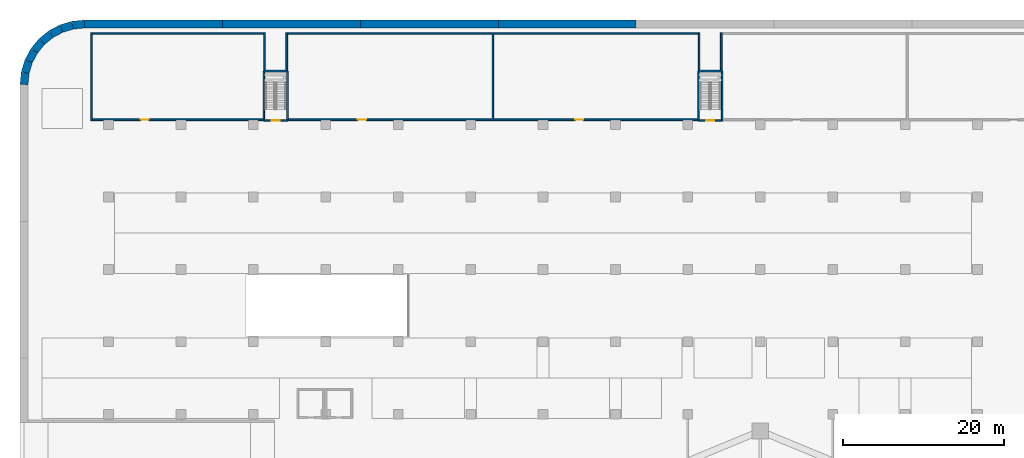
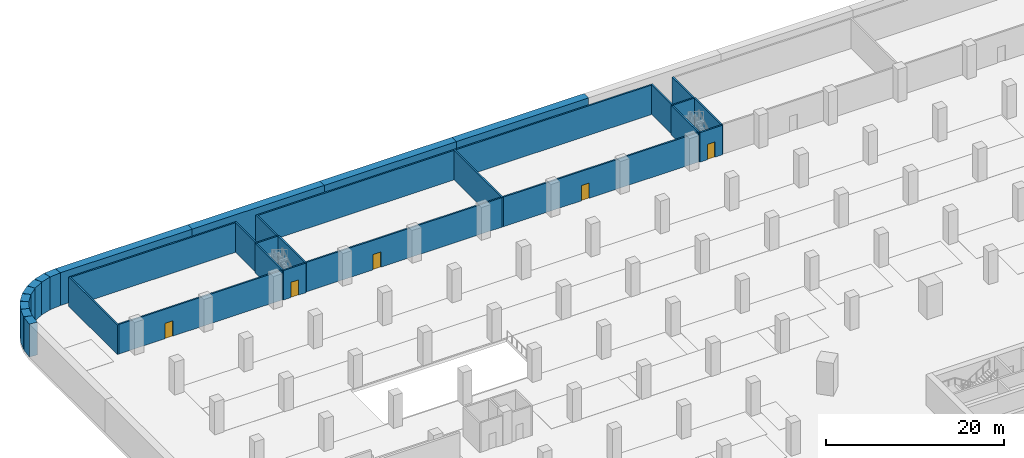
# One storey, part 16 of 34: 32 walls, 5 doors, 5 openings.
"""IFC4 building model written with IfcOpenShell, lengths in metres."""

from ifc_helpers import new_model, si_unit, direction, frame, frame_2d, origin, place, context, subcontext, project, spatial, rectangle, extrude, material, layer, layer_set, type_object, element, fill, save


model = new_model("IFC4")

# Units and contexts
model_context = context("Model", 3, precision=1e-05, world=origin(), true_north=direction((0.0, 1.0)))
body_context = subcontext(model_context, "Body", "Model", "MODEL_VIEW")
ifc_project = project(units=[si_unit("LENGTHUNIT", "METRE"), si_unit("AREAUNIT", "SQUARE_METRE"), si_unit("VOLUMEUNIT", "CUBIC_METRE"), si_unit("PLANEANGLEUNIT", "RADIAN"), si_unit("MASSUNIT", "GRAM", prefix="KILO")], contexts=[model_context])

# Site, building, storey
site_placement = place(None, origin())
site = spatial("IfcSite", under=ifc_project, at=site_placement, CompositionType="ELEMENT")
building_placement = place(site_placement, origin())
building = spatial("IfcBuilding", under=site, at=building_placement, Name="Ogive Gate Towers", CompositionType="ELEMENT")
storey_placement = place(building_placement, frame((0.0, 0.0, -4.5)))
storey = spatial("IfcBuildingStorey", under=building, at=storey_placement, Name="B1", CompositionType="ELEMENT", Elevation=-4.5)

# Wall, opening, door
ifc_material_1 = material(Name="Reinforced concrete C32/40", Category="concrete")
ifc_layer_1 = layer(ifc_material_1, 0.199951171875)
ifc_layer_set_1 = layer_set([ifc_layer_1], Name="Car park stair shaft wall 200")
wall_type_1 = type_object("IfcWallType", Name="Car park stair shaft wall 200", PredefinedType="SOLIDWALL", material=ifc_layer_set_1)
wall_1_placement = place(storey_placement, frame((-94.75, 63.5, 0.0), z_axis=(0.0, 0.0, 1.0), x_axis=(-1.0, 0.0, 0.0)))
wall_1 = element("IfcWall", 1, at=wall_1_placement, inside=storey, type_object=wall_type_1, Name="CS1 stair shaft wall B1 1", PredefinedType="SOLIDWALL", context=body_context, shape_type="SweptSolid", body=[
    extrude(rectangle(XDim=2.949951171875, YDim=0.199951171875, at=frame_2d((1.47509765625, 0.0))), origin(), (0.0, 0.0, 1.0), 4.050048828125),
])
opening_1_placement = place(wall_1_placement, frame((0.97509765625, 0.0, 0.0)))
opening_1 = element("IfcOpeningElement", 2, at=opening_1_placement, cuts=wall_1, Name="Opening CPD31-B1", PredefinedType="OPENING", context=body_context, shape_type="SweptSolid", body=[
    extrude(rectangle(XDim=1.0, YDim=2.10009765625, at=frame_2d((0.5, 1.050048828125))), frame((0.0, 0.10986328125, 0.0), z_axis=(0.0, -1.0, 0.0), x_axis=(1.0, 0.0, 0.0)), (0.0, 0.0, 1.0), 0.219970703125),
])
ifc_material_2 = material(Name="Painted steel door", Category="steel")
door_type_1 = type_object("IfcDoorType", Name="Stair house door 1000 x 2100", OperationType="SINGLE_SWING_LEFT", PredefinedType="DOOR", material=ifc_material_2)
door_1_placement = place(opening_1_placement, origin())
door_1 = element("IfcDoor", 3, at=door_1_placement, inside=storey, type_object=door_type_1, Name="Door CS1 stair B1", OperationType="SINGLE_SWING_LEFT", OverallHeight=2.10009765625, OverallWidth=1.0, PredefinedType="DOOR", context=body_context, shape_type="SweptSolid", body=[
    extrude(rectangle(XDim=1.0, YDim=2.10009765625, at=frame_2d((0.5, 1.050048828125))), frame((0.0, 0.02490234375, 0.0), z_axis=(0.0, -1.0, 0.0), x_axis=(1.0, 0.0, 0.0)), (0.0, 0.0, 1.0), 0.050048828125),
])
fill(opening_1, door_1)

# Walls
wall_2_placement = place(storey_placement, frame((-97.699951171875, 63.5, 0.0), z_axis=(0.0, 0.0, 1.0), x_axis=(0.0, 1.0, 0.0)))
element("IfcWall", 4, at=wall_2_placement, inside=storey, type_object=wall_type_1, Name="CS1 stair shaft wall B1 2", PredefinedType="SOLIDWALL", context=body_context, shape_type="SweptSolid", body=[
    extrude(rectangle(XDim=6.159912109375, YDim=0.199951171875, at=frame_2d((3.080078125, 0.0))), origin(), (0.0, 0.0, 1.0), 4.050048828125),
])
wall_3_placement = place(storey_placement, frame((-97.699951171875, 69.659912109375, 0.0), z_axis=(0.0, 0.0, 1.0), x_axis=(1.0, 0.0, 0.0)))
element("IfcWall", 5, at=wall_3_placement, inside=storey, type_object=wall_type_1, Name="CS1 stair shaft wall B1 3", PredefinedType="SOLIDWALL", context=body_context, shape_type="SweptSolid", body=[
    extrude(rectangle(XDim=2.949951171875, YDim=0.199951171875, at=frame_2d((1.47509765625, 0.0))), origin(), (0.0, 0.0, 1.0), 4.050048828125),
])
wall_4_placement = place(storey_placement, frame((-94.75, 69.659912109375, 0.0), z_axis=(0.0, 0.0, 1.0), x_axis=(0.0, -1.0, 0.0)))
element("IfcWall", 6, at=wall_4_placement, inside=storey, type_object=wall_type_1, Name="CS1 stair shaft wall B1 4", PredefinedType="SOLIDWALL", context=body_context, shape_type="SweptSolid", body=[
    extrude(rectangle(XDim=6.159912109375, YDim=0.199951171875, at=frame_2d((3.080078125, 0.0))), origin(), (0.0, 0.0, 1.0), 4.050048828125),
])

# Wall, opening, door
wall_5_placement = place(storey_placement, frame((-40.75, 63.5, 0.0), z_axis=(0.0, 0.0, 1.0), x_axis=(-1.0, 0.0, 0.0)))
wall_5 = element("IfcWall", 7, at=wall_5_placement, inside=storey, type_object=wall_type_1, Name="CS2 stair shaft wall B1 1", PredefinedType="SOLIDWALL", context=body_context, shape_type="SweptSolid", body=[
    extrude(rectangle(XDim=2.949951171875, YDim=0.199951171875, at=frame_2d((1.47509765625, 0.0))), origin(), (0.0, 0.0, 1.0), 4.050048828125),
])
opening_2_placement = place(wall_5_placement, frame((0.97509765625, 0.0, 0.0)))
opening_2 = element("IfcOpeningElement", 8, at=opening_2_placement, cuts=wall_5, Name="Opening CPD32-B1", PredefinedType="OPENING", context=body_context, shape_type="SweptSolid", body=[
    extrude(rectangle(XDim=1.0, YDim=2.10009765625, at=frame_2d((0.5, 1.050048828125))), frame((0.0, 0.10986328125, 0.0), z_axis=(0.0, -1.0, 0.0), x_axis=(1.0, 0.0, 0.0)), (0.0, 0.0, 1.0), 0.219970703125),
])
door_2_placement = place(opening_2_placement, origin())
door_2 = element("IfcDoor", 9, at=door_2_placement, inside=storey, type_object=door_type_1, Name="Door CS2 stair B1", OperationType="SINGLE_SWING_LEFT", OverallHeight=2.10009765625, OverallWidth=1.0, PredefinedType="DOOR", context=body_context, shape_type="SweptSolid", body=[
    extrude(rectangle(XDim=1.0, YDim=2.10009765625, at=frame_2d((0.5, 1.050048828125))), frame((0.0, 0.02490234375, 0.0), z_axis=(0.0, -1.0, 0.0), x_axis=(1.0, 0.0, 0.0)), (0.0, 0.0, 1.0), 0.050048828125),
])
fill(opening_2, door_2)

# Walls
wall_6_placement = place(storey_placement, frame((-43.699951171875, 63.5, 0.0), z_axis=(0.0, 0.0, 1.0), x_axis=(0.0, 1.0, 0.0)))
element("IfcWall", 10, at=wall_6_placement, inside=storey, type_object=wall_type_1, Name="CS2 stair shaft wall B1 2", PredefinedType="SOLIDWALL", context=body_context, shape_type="SweptSolid", body=[
    extrude(rectangle(XDim=6.159912109375, YDim=0.199951171875, at=frame_2d((3.080078125, 0.0))), origin(), (0.0, 0.0, 1.0), 4.050048828125),
])
wall_7_placement = place(storey_placement, frame((-43.699951171875, 69.659912109375, 0.0), z_axis=(0.0, 0.0, 1.0), x_axis=(1.0, 0.0, 0.0)))
element("IfcWall", 11, at=wall_7_placement, inside=storey, type_object=wall_type_1, Name="CS2 stair shaft wall B1 3", PredefinedType="SOLIDWALL", context=body_context, shape_type="SweptSolid", body=[
    extrude(rectangle(XDim=2.949951171875, YDim=0.199951171875, at=frame_2d((1.47509765625, 0.0))), origin(), (0.0, 0.0, 1.0), 4.050048828125),
])
wall_8_placement = place(storey_placement, frame((-40.75, 69.659912109375, 0.0), z_axis=(0.0, 0.0, 1.0), x_axis=(0.0, -1.0, 0.0)))
element("IfcWall", 12, at=wall_8_placement, inside=storey, type_object=wall_type_1, Name="CS2 stair shaft wall B1 4", PredefinedType="SOLIDWALL", context=body_context, shape_type="SweptSolid", body=[
    extrude(rectangle(XDim=6.159912109375, YDim=0.199951171875, at=frame_2d((3.080078125, 0.0))), origin(), (0.0, 0.0, 1.0), 4.050048828125),
])
ifc_material_3 = material(Name="Blockwork", Category="masonry")
ifc_layer_2 = layer(ifc_material_3, 0.199951171875)
ifc_layer_set_2 = layer_set([ifc_layer_2], Name="Plant room wall 200")
wall_type_2 = type_object("IfcWallType", Name="Plant room wall 200", PredefinedType="PARTITIONING", material=ifc_layer_set_2)
wall_9_placement = place(storey_placement, frame((-119.10009765625, 63.5, 0.0), z_axis=(0.0, 0.0, 1.0), x_axis=(0.0, 1.0, 0.0)))
element("IfcWall", 13, at=wall_9_placement, inside=storey, type_object=wall_type_2, Name="Plant room wall B1-001", PredefinedType="PARTITIONING", context=body_context, shape_type="SweptSolid", body=[
    extrude(rectangle(XDim=10.89990234375, YDim=0.199951171875, at=frame_2d((5.449951171875, 0.0))), origin(), (0.0, 0.0, 1.0), 4.050048828125),
])
for number, where, z_axis, x_axis, name in (
    (14, (-97.60009765625, 69.780029296875, 0.0), (0.0, 0.0, 1.0), (0.0, 1.0, 0.0), "Plant room wall B1-002"),
    (15, (-94.85009765625, 69.780029296875, 0.0), (0.0, 0.0, 1.0), (0.0, 1.0, 0.0), "Plant room wall B1-003"),
):
    element("IfcWall", number, at=place(storey_placement, frame(where, z_axis=z_axis, x_axis=x_axis)), inside=storey, type_object=wall_type_2, Name=name, PredefinedType="PARTITIONING", context=body_context, shape_type="SweptSolid", body=[
        extrude(rectangle(XDim=4.619873046875, YDim=0.199951171875, at=frame_2d((2.31005859375, 0.0))), origin(), (0.0, 0.0, 1.0), 4.050048828125),
    ])
wall_10_placement = place(storey_placement, frame((-69.22509765625, 63.5, 0.0), z_axis=(0.0, 0.0, 1.0), x_axis=(0.0, 1.0, 0.0)))
element("IfcWall", 16, at=wall_10_placement, inside=storey, type_object=wall_type_2, Name="Plant room wall B1-008", PredefinedType="PARTITIONING", context=body_context, shape_type="SweptSolid", body=[
    extrude(rectangle(XDim=10.89990234375, YDim=0.199951171875, at=frame_2d((5.449951171875, 0.0))), origin(), (0.0, 0.0, 1.0), 4.050048828125),
])
for number, where, z_axis, x_axis, name in (
    (17, (-43.60009765625, 69.780029296875, 0.0), (0.0, 0.0, 1.0), (0.0, 1.0, 0.0), "Plant room wall B1-009"),
    (18, (-40.85009765625, 69.780029296875, 0.0), (0.0, 0.0, 1.0), (0.0, 1.0, 0.0), "Plant room wall B1-010"),
):
    element("IfcWall", number, at=place(storey_placement, frame(where, z_axis=z_axis, x_axis=x_axis)), inside=storey, type_object=wall_type_2, Name=name, PredefinedType="PARTITIONING", context=body_context, shape_type="SweptSolid", body=[
        extrude(rectangle(XDim=4.619873046875, YDim=0.199951171875, at=frame_2d((2.31005859375, 0.0))), origin(), (0.0, 0.0, 1.0), 4.050048828125),
    ])

# Wall, opening, door
wall_11_placement = place(storey_placement, frame((-119.0, 63.60009765625, 0.0), z_axis=(0.0, 0.0, 1.0), x_axis=(1.0, 0.0, 0.0)))
wall_11 = element("IfcWall", 19, at=wall_11_placement, inside=storey, type_object=wall_type_2, Name="Plant room wall B1-031", PredefinedType="PARTITIONING", context=body_context, shape_type="SweptSolid", body=[
    extrude(rectangle(XDim=21.179931640625, YDim=0.199951171875, at=frame_2d((10.58984375, 0.0))), origin(), (0.0, 0.0, 1.0), 4.050048828125),
])
opening_3_placement = place(wall_11_placement, frame((6.0, 0.0, 0.0)))
opening_3 = element("IfcOpeningElement", 20, at=opening_3_placement, cuts=wall_11, Name="Opening CPD101", PredefinedType="OPENING", context=body_context, shape_type="SweptSolid", body=[
    extrude(rectangle(XDim=1.0, YDim=2.10009765625, at=frame_2d((0.5, 1.050048828125))), frame((0.0, 0.10986328125, 0.0), z_axis=(0.0, -1.0, 0.0), x_axis=(1.0, 0.0, 0.0)), (0.0, 0.0, 1.0), 0.219970703125),
])
door_type_2 = type_object("IfcDoorType", Name="Fire door 1000 x 2100", OperationType="SINGLE_SWING_LEFT", PredefinedType="DOOR", material=ifc_material_2)
door_3_placement = place(opening_3_placement, origin())
door_3 = element("IfcDoor", 21, at=door_3_placement, inside=storey, type_object=door_type_2, Name="Door CPD101", OperationType="SINGLE_SWING_LEFT", OverallHeight=2.10009765625, OverallWidth=1.0, PredefinedType="DOOR", context=body_context, shape_type="SweptSolid", body=[
    extrude(rectangle(XDim=1.0, YDim=2.10009765625, at=frame_2d((0.5, 1.050048828125))), frame((0.0, 0.02490234375, 0.0), z_axis=(0.0, -1.0, 0.0), x_axis=(1.0, 0.0, 0.0)), (0.0, 0.0, 1.0), 0.050048828125),
])
fill(opening_3, door_3)

wall_12_placement = place(storey_placement, frame((-94.6298828125, 63.60009765625, 0.0), z_axis=(0.0, 0.0, 1.0), x_axis=(1.0, 0.0, 0.0)))
wall_12 = element("IfcWall", 22, at=wall_12_placement, inside=storey, type_object=wall_type_2, Name="Plant room wall B1-032", PredefinedType="PARTITIONING", context=body_context, shape_type="SweptSolid", body=[
    extrude(rectangle(XDim=25.304931640625, YDim=0.199951171875, at=frame_2d((12.65234375, 0.0))), origin(), (0.0, 0.0, 1.0), 4.050048828125),
])
opening_4_placement = place(wall_12_placement, frame((8.6298828125, 0.0, 0.0)))
opening_4 = element("IfcOpeningElement", 23, at=opening_4_placement, cuts=wall_12, Name="Opening CPD102", PredefinedType="OPENING", context=body_context, shape_type="SweptSolid", body=[
    extrude(rectangle(XDim=1.0, YDim=2.10009765625, at=frame_2d((0.5, 1.050048828125))), frame((0.0, 0.10986328125, 0.0), z_axis=(0.0, -1.0, 0.0), x_axis=(1.0, 0.0, 0.0)), (0.0, 0.0, 1.0), 0.219970703125),
])
door_4_placement = place(opening_4_placement, origin())
door_4 = element("IfcDoor", 24, at=door_4_placement, inside=storey, type_object=door_type_2, Name="Door CPD102", OperationType="SINGLE_SWING_RIGHT", OverallHeight=2.10009765625, OverallWidth=1.0, PredefinedType="DOOR", context=body_context, shape_type="SweptSolid", body=[
    extrude(rectangle(XDim=1.0, YDim=2.10009765625, at=frame_2d((0.5, 1.050048828125))), frame((0.0, 0.02490234375, 0.0), z_axis=(0.0, -1.0, 0.0), x_axis=(1.0, 0.0, 0.0)), (0.0, 0.0, 1.0), 0.050048828125),
])
fill(opening_4, door_4)

wall_13_placement = place(storey_placement, frame((-69.125, 63.60009765625, 0.0), z_axis=(0.0, 0.0, 1.0), x_axis=(1.0, 0.0, 0.0)))
wall_13 = element("IfcWall", 25, at=wall_13_placement, inside=storey, type_object=wall_type_2, Name="Plant room wall B1-033", PredefinedType="PARTITIONING", context=body_context, shape_type="SweptSolid", body=[
    extrude(rectangle(XDim=25.304931640625, YDim=0.199951171875, at=frame_2d((12.65234375, 0.0))), origin(), (0.0, 0.0, 1.0), 4.050048828125),
])
opening_5_placement = place(wall_13_placement, frame((10.125, 0.0, 0.0)))
opening_5 = element("IfcOpeningElement", 26, at=opening_5_placement, cuts=wall_13, Name="Opening CPD103", PredefinedType="OPENING", context=body_context, shape_type="SweptSolid", body=[
    extrude(rectangle(XDim=1.0, YDim=2.10009765625, at=frame_2d((0.5, 1.050048828125))), frame((0.0, 0.10986328125, 0.0), z_axis=(0.0, -1.0, 0.0), x_axis=(1.0, 0.0, 0.0)), (0.0, 0.0, 1.0), 0.219970703125),
])
door_5_placement = place(opening_5_placement, origin())
door_5 = element("IfcDoor", 27, at=door_5_placement, inside=storey, type_object=door_type_2, Name="Door CPD103", OperationType="SINGLE_SWING_LEFT", OverallHeight=2.10009765625, OverallWidth=1.0, PredefinedType="DOOR", context=body_context, shape_type="SweptSolid", body=[
    extrude(rectangle(XDim=1.0, YDim=2.10009765625, at=frame_2d((0.5, 1.050048828125))), frame((0.0, 0.02490234375, 0.0), z_axis=(0.0, -1.0, 0.0), x_axis=(1.0, 0.0, 0.0)), (0.0, 0.0, 1.0), 0.050048828125),
])
fill(opening_5, door_5)

# Walls
wall_14_placement = place(storey_placement, frame((-119.0, 74.300048828125, 0.0), z_axis=(0.0, 0.0, 1.0), x_axis=(1.0, 0.0, 0.0)))
element("IfcWall", 28, at=wall_14_placement, inside=storey, type_object=wall_type_2, Name="Plant room wall B1-040", PredefinedType="PARTITIONING", context=body_context, shape_type="SweptSolid", body=[
    extrude(rectangle(XDim=21.300048828125, YDim=0.199951171875, at=frame_2d((10.64990234375, 0.0))), origin(), (0.0, 0.0, 1.0), 4.050048828125),
])
for number, where, z_axis, x_axis, name in (
    (29, (-94.75, 74.300048828125, 0.0), (0.0, 0.0, 1.0), (1.0, 0.0, 0.0), "Plant room wall B1-041"),
    (30, (-69.125, 74.300048828125, 0.0), (0.0, 0.0, 1.0), (1.0, 0.0, 0.0), "Plant room wall B1-042"),
):
    element("IfcWall", number, at=place(storey_placement, frame(where, z_axis=z_axis, x_axis=x_axis)), inside=storey, type_object=wall_type_2, Name=name, PredefinedType="PARTITIONING", context=body_context, shape_type="SweptSolid", body=[
        extrude(rectangle(XDim=25.425048828125, YDim=0.199951171875, at=frame_2d((12.71240234375, 0.0))), origin(), (0.0, 0.0, 1.0), 4.050048828125),
    ])
ifc_material_4 = material(Name="Concrete C40/50", Category="concrete")
ifc_layer_3 = layer(ifc_material_4, 1.0)
ifc_layer_set_3 = layer_set([ifc_layer_3], Name="Retaining wall 1000")
wall_type_3 = type_object("IfcWallType", Name="Retaining wall 1000", PredefinedType="SOLIDWALL", material=ifc_layer_set_3)
wall_15_placement = place(storey_placement, frame((-127.5, 67.975341796875, 0.0), z_axis=(0.0, 0.0, 1.0), x_axis=(0.098015582414, 0.995184880112, 0.0)))
element("IfcWall", 31, at=wall_15_placement, inside=storey, type_object=wall_type_3, Name="BS/B1/SWL032", PredefinedType="SOLIDWALL", context=body_context, shape_type="SweptSolid", body=[
    extrude(rectangle(XDim=1.494384765625, YDim=1.0, at=frame_2d((0.7470703125, 0.0))), origin(), (0.0, 0.0, 1.0), 4.5),
])
for number, where, z_axis, x_axis, name in (
    (32, (-127.353515625, 69.462646484375, 0.0), (0.0, 0.0, 1.0), (0.290348524206, 0.956920965645, 0.0), "BS/B1/SWL033"),
    (33, (-126.9267578125, 70.869140625, 0.0), (0.0, 0.0, 1.0), (0.471234704339, 0.882007853381, 0.0), "BS/B1/SWL034"),
    (34, (-126.234130859375, 72.16552734375, 0.0), (0.0, 0.0, 1.0), (0.634530405868, 0.772897900132, 0.0), "BS/B1/SWL035"),
    (35, (-125.301513671875, 73.301513671875, 0.0), (0.0, 0.0, 1.0), (0.772897900132, 0.634530405868, 0.0), "BS/B1/SWL036"),
    (36, (-124.16552734375, 74.234130859375, 0.0), (0.0, 0.0, 1.0), (0.882007853381, 0.471234704339, 0.0), "BS/B1/SWL037"),
    (37, (-122.869140625, 74.9267578125, 0.0), (0.0, 0.0, 1.0), (0.956920965645, 0.290348524206, 0.0), "BS/B1/SWL038"),
):
    element("IfcWall", number, at=place(storey_placement, frame(where, z_axis=z_axis, x_axis=x_axis)), inside=storey, type_object=wall_type_3, Name=name, PredefinedType="SOLIDWALL", context=body_context, shape_type="SweptSolid", body=[
        extrude(rectangle(XDim=1.4697265625, YDim=1.0, at=frame_2d((0.73486328125, 0.0))), origin(), (0.0, 0.0, 1.0), 4.5),
    ])
wall_16_placement = place(storey_placement, frame((-121.462646484375, 75.353515625, 0.0), z_axis=(0.0, 0.0, 1.0), x_axis=(0.995184880112, 0.098015582414, 0.0)))
element("IfcWall", 38, at=wall_16_placement, inside=storey, type_object=wall_type_3, Name="BS/B1/SWL039", PredefinedType="SOLIDWALL", context=body_context, shape_type="SweptSolid", body=[
    extrude(rectangle(XDim=1.494384765625, YDim=1.0, at=frame_2d((0.7470703125, 0.0))), origin(), (0.0, 0.0, 1.0), 4.5),
])
wall_17_placement = place(storey_placement, frame((-119.975341796875, 75.5, 0.0), z_axis=(0.0, 0.0, 1.0), x_axis=(1.0, 0.0, 0.0)))
element("IfcWall", 39, at=wall_17_placement, inside=storey, type_object=wall_type_3, Name="BS/B1/SWL040", PredefinedType="SOLIDWALL", context=body_context, shape_type="SweptSolid", body=[
    extrude(rectangle(XDim=17.13916015625, YDim=1.0, at=frame_2d((8.569580078125, 0.0))), origin(), (0.0, 0.0, 1.0), 4.5),
])
for number, where, z_axis, x_axis, name in (
    (40, (-102.836181640625, 75.5, 0.0), (0.0, 0.0, 1.0), (1.0, 0.0, 0.0), "BS/B1/SWL041"),
    (41, (-85.69677734375, 75.5, 0.0), (0.0, 0.0, 1.0), (1.0, 0.0, 0.0), "BS/B1/SWL042"),
    (42, (-68.557373046875, 75.5, 0.0), (0.0, 0.0, 1.0), (1.0, 0.0, 0.0), "BS/B1/SWL043"),
):
    element("IfcWall", number, at=place(storey_placement, frame(where, z_axis=z_axis, x_axis=x_axis)), inside=storey, type_object=wall_type_3, Name=name, PredefinedType="SOLIDWALL", context=body_context, shape_type="SweptSolid", body=[
        extrude(rectangle(XDim=17.139404296875, YDim=1.0, at=frame_2d((8.56982421875, 0.0))), origin(), (0.0, 0.0, 1.0), 4.5),
    ])

save(model, "model.ifc")
